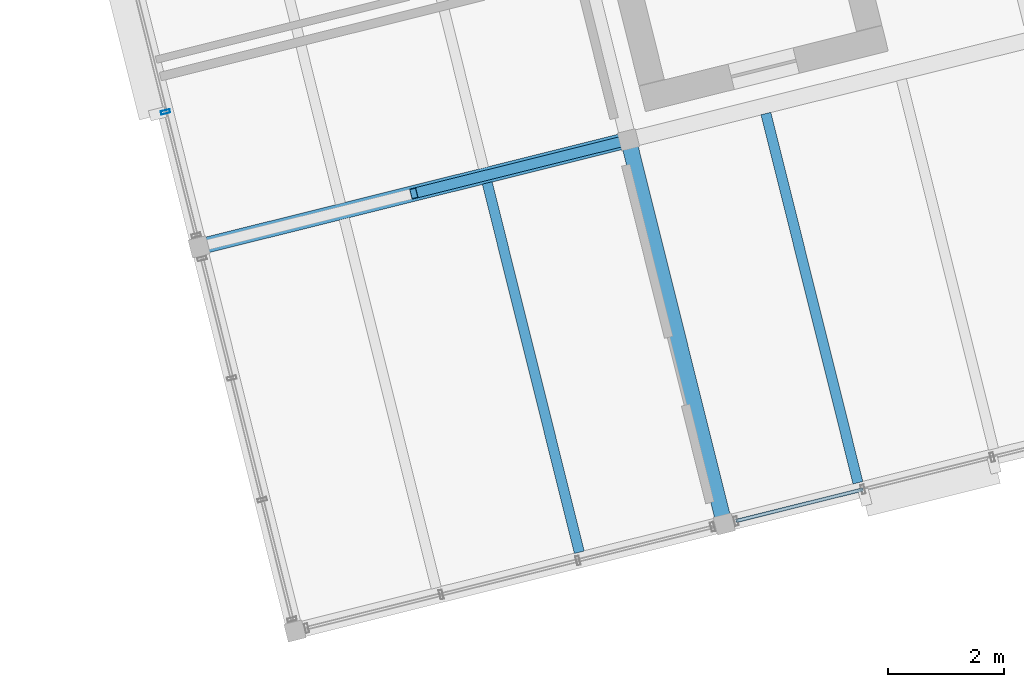
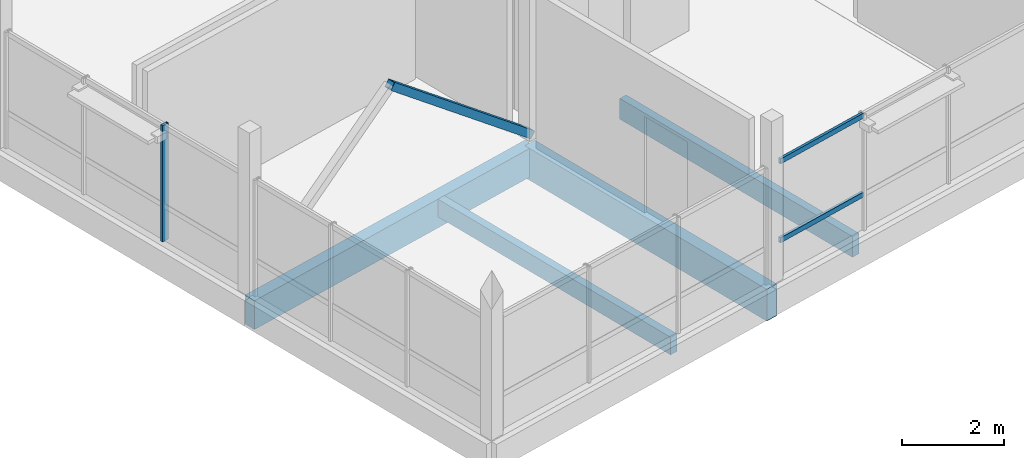
# One storey, part 3 of 25: 4 beams, 4 members, 2 elements without a shape of their own.
"""IFC4 building model written with IfcOpenShell, lengths in metres."""

from ifc_helpers import new_model, si_unit, direction, frame, origin, origin_2d, place, context, subcontext, project, spatial, rectangle, hollow_rectangle, extrude, material, layer, layer_set, material_profile, profile_set, type_object, element, aggregate, save


model = new_model("IFC4")

# Units and contexts
model_context = context("Model", 3, precision=1e-05, world=origin(), true_north=direction((0.0, 1.0)))
body_context = subcontext(model_context, "Body", "Model", "MODEL_VIEW")
ifc_project = project(units=[si_unit("LENGTHUNIT", "METRE"), si_unit("AREAUNIT", "SQUARE_METRE"), si_unit("VOLUMEUNIT", "CUBIC_METRE"), si_unit("PLANEANGLEUNIT", "RADIAN"), si_unit("MASSUNIT", "GRAM", prefix="KILO")], contexts=[model_context])

# Site, building, storey
site_placement = place(None, origin())
site = spatial("IfcSite", under=ifc_project, at=site_placement, CompositionType="ELEMENT")
building_placement = place(site_placement, origin())
building = spatial("IfcBuilding", under=site, at=building_placement, Name="Meriwether Solvik Hall", CompositionType="ELEMENT")
storey_placement = place(building_placement, frame((0.0, 0.0, 53.39990234375)))
storey = spatial("IfcBuildingStorey", under=building, at=storey_placement, Name="L13", CompositionType="ELEMENT", Elevation=53.39990234375)

# Beams
ifc_material_1 = material(Name="Glulam Douglas-Fir 24F-V8 GL28h", Category="wood")
ifc_material_profile_1 = material_profile(ifc_material_1, rectangle(XDim=0.27294921875, YDim=0.68505859375, at=origin_2d()), Name="GLB-273X685")
ifc_profile_set_1 = profile_set([ifc_material_profile_1], Name="Glulam Douglas-Fir 24F-V8 GL28h")
beam_type_1 = type_object("IfcBeamType", Name="BM-GL-273X685", PredefinedType="BEAM", material=ifc_profile_set_1)
beam_1_placement = place(storey_placement, frame((66.954833984375, 47.798095703125, -0.5224609375), z_axis=(0.970295366785, 0.241923337436, 0.0), x_axis=(-0.241923337436, 0.970295366785, 0.0)))
element("IfcBeam", 1, at=beam_1_placement, inside=storey, type_object=beam_type_1, Name="Tower Girder TB:T1-T2 (L13)", PredefinedType="BEAM", context=body_context, shape_type="SweptSolid", body=[
    extrude(rectangle(XDim=0.27294921875, YDim=0.68505859375, at=origin_2d()), origin(), (0.0, 0.0, 1.0), 7.60009765625),
])
ifc_material_2 = material(Name="Glulam Douglas-Fir 24F-V8 GL28h", Category="wood")
ifc_material_profile_2 = material_profile(ifc_material_2, rectangle(XDim=0.27294921875, YDim=0.760009765625, at=origin_2d()), Name="GLB-273X760")
ifc_profile_set_2 = profile_set([ifc_material_profile_2], Name="Glulam Douglas-Fir 24F-V8 GL28h")
beam_type_2 = type_object("IfcBeamType", Name="BM-GL-273X760", PredefinedType="BEAM", material=ifc_profile_set_2)
beam_2_placement = place(storey_placement, frame((75.974365234375, 43.03857421875, -0.559814453125), z_axis=(-0.241944251278, 0.970290152106, 0.0), x_axis=(-0.970290152106, -0.241944251278, 0.0)))
element("IfcBeam", 2, at=beam_2_placement, inside=storey, type_object=beam_type_2, Name="Tower Girder T2:TA-TB (L13)", PredefinedType="BEAM", context=body_context, shape_type="SweptSolid", body=[
    extrude(rectangle(XDim=0.27294921875, YDim=0.760009765625, at=origin_2d()), origin(), (0.0, 0.0, 1.0), 6.80029296875),
])

# Curtain wall, member
ifc_material_3 = material(Name="Thermally Broken Anodised Aluminium 6063-T6 and Low-E Glass", Category="aluminium")
ifc_layer_1 = layer(ifc_material_3, 0.179931640625)
ifc_layer_set_1 = layer_set([ifc_layer_1], Name="Thermally Broken Anodised Aluminium 6063-T6 and Low-E Glass")
curtain_wall_type_1 = type_object("IfcCurtainWallType", Name="CW-UNIT-A", PredefinedType="USERDEFINED", material=ifc_layer_set_1)
curtain_wall_1_placement = place(storey_placement, origin())
curtain_wall_1 = element("IfcCurtainWall", 3, at=curtain_wall_1_placement, inside=storey, type_object=curtain_wall_type_1, Name="Curtain Wall E3_B1 (L13)", ObjectType="UNITISED CURTAIN WALL", PredefinedType="USERDEFINED")
ifc_material_4 = material(Name="Anodised Aluminium 6063-T6", Category="aluminium")
ifc_material_profile_3 = material_profile(ifc_material_4, hollow_rectangle(XDim=0.06005859375, YDim=0.159912109375, WallThickness=0.00390625, at=origin_2d()), Name="CWM-60X160")
ifc_profile_set_3 = profile_set([ifc_material_profile_3], Name="Anodised Aluminium 6063-T6")
member_type_1 = type_object("IfcMemberType", Name="CW-MUL-60X160", PredefinedType="MULLION", material=ifc_profile_set_3)
member_1_placement = place(storey_placement, frame((66.376708984375, 50.116943359375, 0.0), z_axis=(0.0, 0.0, 1.0), x_axis=(-0.241921784185, 0.970295754055, 0.0)))
member_1 = element("IfcMember", 4, at=member_1_placement, type_object=member_type_1, Name="Curtain Wall Mullion 2", PredefinedType="MULLION", context=body_context, shape_type="SweptSolid", body=[
    extrude(hollow_rectangle(XDim=0.06005859375, YDim=0.159912109375, WallThickness=0.00390625, at=origin_2d()), origin(), (0.0, 0.0, 1.0), 2.77001953125),
])
aggregate(curtain_wall_1, [member_1])

# Curtain wall, members
ifc_material_5 = material(Name="Thermally Broken Anodised Aluminium 6063-T6 and Low-E Glass", Category="aluminium")
ifc_layer_2 = layer(ifc_material_5, 0.179931640625)
ifc_layer_set_2 = layer_set([ifc_layer_2], Name="Thermally Broken Anodised Aluminium 6063-T6 and Low-E Glass")
curtain_wall_type_2 = type_object("IfcCurtainWallType", Name="CW-UNIT-E", PredefinedType="USERDEFINED", material=ifc_layer_set_2)
curtain_wall_2_placement = place(storey_placement, origin())
curtain_wall_2 = element("IfcCurtainWall", 5, at=curtain_wall_2_placement, inside=storey, type_object=curtain_wall_type_2, Name="Curtain Wall E0_B1 (L13)", ObjectType="UNITISED CURTAIN WALL", PredefinedType="USERDEFINED")
ifc_material_6 = material(Name="Anodised Aluminium 6063-T6", Category="aluminium")
ifc_material_profile_4 = material_profile(ifc_material_6, hollow_rectangle(XDim=0.06005859375, YDim=0.1201171875, WallThickness=0.00390625, at=origin_2d()), Name="CWT-60X120")
ifc_profile_set_4 = profile_set([ifc_material_profile_4], Name="Anodised Aluminium 6063-T6")
member_type_2 = type_object("IfcMemberType", Name="CW-TRN-60X120", PredefinedType="USERDEFINED", material=ifc_profile_set_4)
member_2_placement = place(storey_placement, frame((78.357666015625, 43.6328125, 0.8310546875), z_axis=(-0.970308305597, -0.241871437108, 0.0), x_axis=(0.241871437108, -0.970308305597, 0.0)))
member_2 = element("IfcMember", 6, at=member_2_placement, type_object=member_type_2, Name="Curtain Wall Transom 3-sill", ObjectType="TRANSOM", PredefinedType="USERDEFINED", context=body_context, shape_type="SweptSolid", body=[
    extrude(hollow_rectangle(XDim=0.06005859375, YDim=0.1201171875, WallThickness=0.00390625, at=origin_2d()), origin(), (0.0, 0.0, 1.0), 2.2490234375),
])
member_3_placement = place(storey_placement, frame((78.357666015625, 43.6328125, 2.710205078125), z_axis=(-0.970308305597, -0.241871437108, 0.0), x_axis=(0.241871437108, -0.970308305597, 0.0)))
member_3 = element("IfcMember", 7, at=member_3_placement, type_object=member_type_2, Name="Curtain Wall Transom 3-head", ObjectType="TRANSOM", PredefinedType="USERDEFINED", context=body_context, shape_type="SweptSolid", body=[
    extrude(hollow_rectangle(XDim=0.06005859375, YDim=0.1201171875, WallThickness=0.00390625, at=origin_2d()), origin(), (0.0, 0.0, 1.0), 2.2490234375),
])
aggregate(curtain_wall_2, [member_2, member_3])

# Beams
ifc_material_7 = material(Name="Glulam Douglas-Fir 24F-V8 GL28h", Category="wood")
ifc_material_profile_5 = material_profile(ifc_material_7, rectangle(XDim=0.175048828125, YDim=0.419921875, at=origin_2d()), Name="GLJ-175X420")
ifc_profile_set_5 = profile_set([ifc_material_profile_5], Name="Glulam Douglas-Fir 24F-V8 GL28h")
beam_type_3 = type_object("IfcBeamType", Name="JST-GL-175X420", PredefinedType="JOIST", material=ifc_profile_set_5)
beam_3_placement = place(storey_placement, frame((73.484375, 42.55322265625, -0.389892578125), z_axis=(-0.241929249708, 0.970293892661, 0.0), x_axis=(-0.970293892661, -0.241929249708, 0.0)))
element("IfcBeam", 8, at=beam_3_placement, inside=storey, type_object=beam_type_3, Name="Glulam Floor Joist T1/TA-J2 (L13)", PredefinedType="JOIST", context=body_context, shape_type="SweptSolid", body=[
    extrude(rectangle(XDim=0.175048828125, YDim=0.419921875, at=origin_2d()), origin(), (0.0, 0.0, 1.0), 6.537109375),
])
ifc_material_8 = material(Name="Glulam Douglas-Fir 24F-V8 GL28h", Category="wood")
ifc_material_profile_6 = material_profile(ifc_material_8, rectangle(XDim=0.175048828125, YDim=0.4951171875, at=origin_2d()), Name="GLJ-175X495")
ifc_profile_set_6 = profile_set([ifc_material_profile_6], Name="Glulam Douglas-Fir 24F-V8 GL28h")
beam_type_4 = type_object("IfcBeamType", Name="JST-GL-175X495", PredefinedType="JOIST", material=ifc_profile_set_6)
beam_4_placement = place(storey_placement, frame((78.271240234375, 43.746826171875, -0.427490234375), z_axis=(-0.241938016776, 0.970291706673, 0.0), x_axis=(-0.970291706673, -0.241938016776, 0.0)))
element("IfcBeam", 9, at=beam_4_placement, inside=storey, type_object=beam_type_4, Name="Glulam Floor Joist T2/TA-J1 (L13)", PredefinedType="JOIST", context=body_context, shape_type="SweptSolid", body=[
    extrude(rectangle(XDim=0.175048828125, YDim=0.4951171875, at=origin_2d()), origin(), (0.0, 0.0, 1.0), 6.536865234375),
])

# Member
ifc_material_9 = material(Name="Steel A500 Grade C", Category="steel")
ifc_material_profile_7 = material_profile(ifc_material_9, hollow_rectangle(XDim=0.177978515625, YDim=0.177978515625, WallThickness=0.009521484375, at=origin_2d()), Name="HSS178X178X9.5")
ifc_profile_set_7 = profile_set([ifc_material_profile_7], Name="Steel A500 Grade C")
member_type_3 = type_object("IfcMemberType", Name="MEM-BR-HSS178", PredefinedType="BRACE", material=ifc_profile_set_7)
member_4_placement = place(storey_placement, frame((74.3291015625, 49.63671875, 0.050048828125), z_axis=(-0.76105511364, -0.189785032311, 0.62030376068), x_axis=(0.241961122321, -0.970285945114, 0.0)))
element("IfcMember", 10, at=member_4_placement, inside=storey, type_object=member_type_3, Name="Tower Chevron Brace L13-B1B", PredefinedType="BRACE", context=body_context, shape_type="SweptSolid", body=[
    extrude(hollow_rectangle(XDim=0.177978515625, YDim=0.177978515625, WallThickness=0.009521484375, at=origin_2d()), origin(), (0.0, 0.0, 1.0), 4.8447265625),
])

save(model, "model.ifc")
